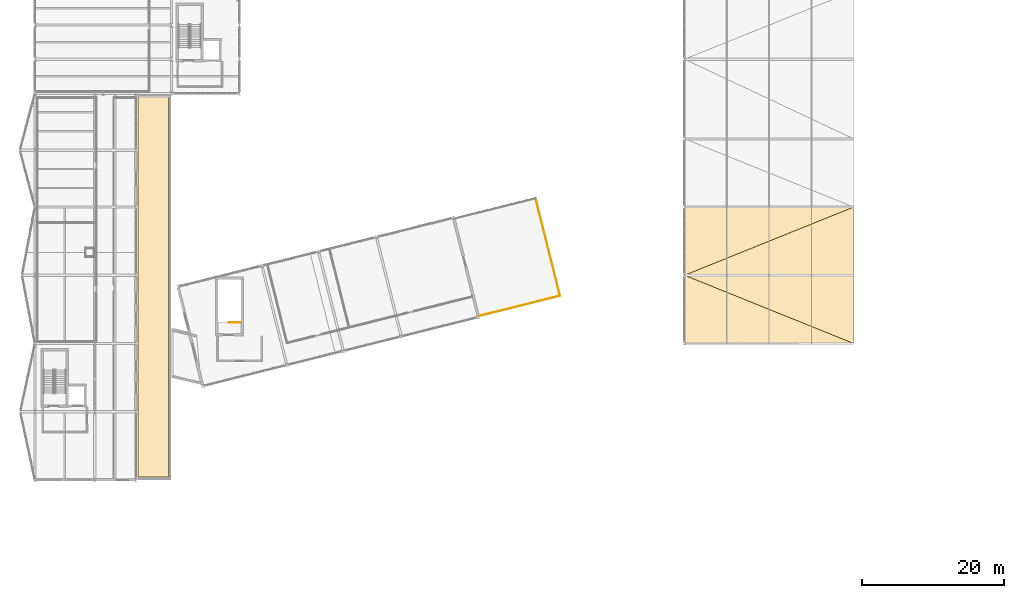
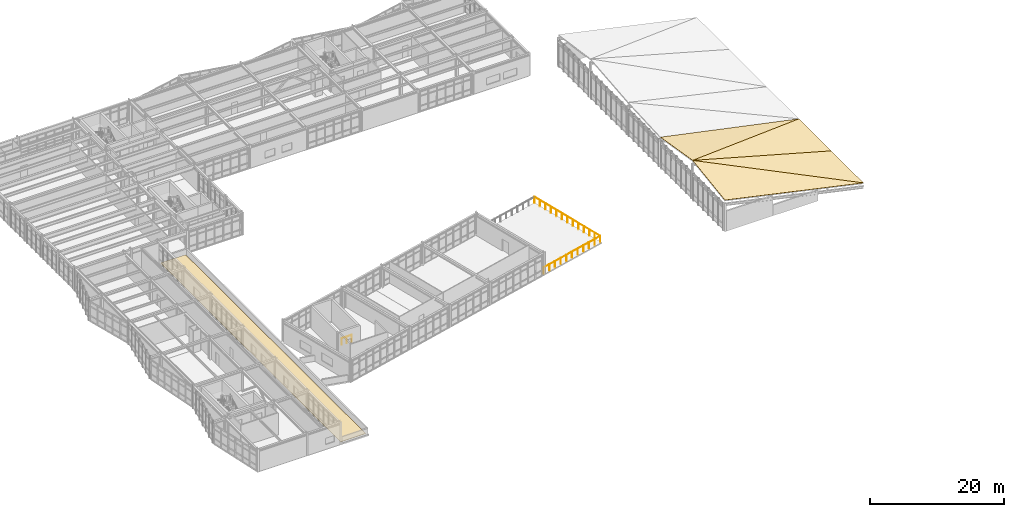
# One storey, part 61 of 64: 5 coverings, 3 railings.
"""IFC4 building model written with IfcOpenShell, lengths in metres."""

from ifc_helpers import new_model, si_unit, direction, frame, origin, origin_2d, place, context, subcontext, project, spatial, polyline, circle, outline, extrude, material, layer, layer_set, type_object, element, save


model = new_model("IFC4")

# Units and contexts
model_context = context("Model", 3, precision=1e-05, world=origin(), true_north=direction((0.0, 1.0)))
body_context = subcontext(model_context, "Body", "Model", "MODEL_VIEW")
ifc_project = project(units=[si_unit("LENGTHUNIT", "METRE"), si_unit("AREAUNIT", "SQUARE_METRE"), si_unit("VOLUMEUNIT", "CUBIC_METRE"), si_unit("PLANEANGLEUNIT", "RADIAN"), si_unit("MASSUNIT", "GRAM", prefix="KILO")], contexts=[model_context])

# Site, building, storey
site_placement = place(None, origin())
site = spatial("IfcSite", under=ifc_project, at=site_placement, CompositionType="ELEMENT")
building_placement = place(site_placement, origin())
building = spatial("IfcBuilding", under=site, at=building_placement, Name="Nordkorset Police Headquarters", CompositionType="ELEMENT")
storey_placement = place(building_placement, frame((0.0, 0.0, 17.85009765625)))
storey = spatial("IfcBuildingStorey", under=building, at=storey_placement, Name="L04", CompositionType="ELEMENT", Elevation=17.85009765625)

# Railings
ifc_material_1 = material(Name="Steel S355J2", Category="steel")
ifc_layer_1 = layer(ifc_material_1, 0.06005859375, Name="Steel S355J2")
ifc_layer_set_1 = layer_set([ifc_layer_1], Name="Steel S355J2")
railing_type_1 = type_object("IfcRailingType", Name="Guardrail_Terrace_1200", PredefinedType="GUARDRAIL", material=ifc_layer_set_1)
railing_1_placement = place(storey_placement, frame((62.514892578125, 51.88330078125, 0.0)))
element("IfcRailing", 1, at=railing_1_placement, inside=storey, type_object=railing_type_1, Name="Terrace Perimeter Guardrail TER-V4-L04-1", PredefinedType="GUARDRAIL", context=body_context, shape_type="SweptSolid", body=[
    extrude(circle(Radius=0.02392578125, at=origin_2d()), frame((0.0, 0.0, 1.17578125), z_axis=(0.970142500145, 0.242535625036, 0.0), x_axis=(-0.242535625036, 0.970142500145, 0.0)), (0.0, 0.0, 1.0), 11.699951171875),
    extrude(circle(Radius=0.02099609375, at=origin_2d()), origin(), (0.0, 0.0, 1.0), 1.15185546875),
    extrude(circle(Radius=0.02099609375, at=origin_2d()), frame((1.135009765625, 0.28369140625, 0.0)), (0.0, 0.0, 1.0), 1.15185546875),
    extrude(circle(Radius=0.02099609375, at=origin_2d()), frame((2.27001953125, 0.567626953125, 0.0)), (0.0, 0.0, 1.0), 1.15185546875),
    extrude(circle(Radius=0.02099609375, at=origin_2d()), frame((3.4052734375, 0.851318359375, 0.0)), (0.0, 0.0, 1.0), 1.15185546875),
    extrude(circle(Radius=0.02099609375, at=origin_2d()), frame((4.540283203125, 1.135009765625, 0.0)), (0.0, 0.0, 1.0), 1.15185546875),
    extrude(circle(Radius=0.02099609375, at=origin_2d()), frame((5.67529296875, 1.4189453125, 0.0)), (0.0, 0.0, 1.0), 1.15185546875),
    extrude(circle(Radius=0.02099609375, at=origin_2d()), frame((6.810302734375, 1.70263671875, 0.0)), (0.0, 0.0, 1.0), 1.15185546875),
    extrude(circle(Radius=0.02099609375, at=origin_2d()), frame((7.9453125, 1.986328125, 0.0)), (0.0, 0.0, 1.0), 1.15185546875),
    extrude(circle(Radius=0.02099609375, at=origin_2d()), frame((9.08056640625, 2.27001953125, 0.0)), (0.0, 0.0, 1.0), 1.15185546875),
    extrude(circle(Radius=0.02099609375, at=origin_2d()), frame((10.215576171875, 2.553955078125, 0.0)), (0.0, 0.0, 1.0), 1.15185546875),
    extrude(circle(Radius=0.02099609375, at=origin_2d()), frame((11.3505859375, 2.837646484375, 0.0)), (0.0, 0.0, 1.0), 1.15185546875),
])
railing_2_placement = place(storey_placement, frame((73.865478515625, 54.720947265625, 0.0)))
element("IfcRailing", 2, at=railing_2_placement, inside=storey, type_object=railing_type_1, Name="Terrace Perimeter Guardrail TER-V4-L04-2", PredefinedType="GUARDRAIL", context=body_context, shape_type="SweptSolid", body=[
    extrude(circle(Radius=0.02392578125, at=origin_2d()), frame((0.0, 0.0, 1.17578125), z_axis=(-0.242531550911, 0.970143518668, 0.0), x_axis=(-0.970143518668, -0.242531550911, 0.0)), (0.0, 0.0, 1.0), 14.099853515625),
    extrude(circle(Radius=0.02099609375, at=origin_2d()), origin(), (0.0, 0.0, 1.0), 1.15185546875),
    extrude(circle(Radius=0.02099609375, at=origin_2d()), frame((-0.284912109375, 1.139892578125, 0.0)), (0.0, 0.0, 1.0), 1.15185546875),
    extrude(circle(Radius=0.02099609375, at=origin_2d()), frame((-0.56982421875, 2.27978515625, 0.0)), (0.0, 0.0, 1.0), 1.15185546875),
    extrude(circle(Radius=0.02099609375, at=origin_2d()), frame((-0.85498046875, 3.419677734375, 0.0)), (0.0, 0.0, 1.0), 1.15185546875),
    extrude(circle(Radius=0.02099609375, at=origin_2d()), frame((-1.139892578125, 4.5595703125, 0.0)), (0.0, 0.0, 1.0), 1.15185546875),
    extrude(circle(Radius=0.02099609375, at=origin_2d()), frame((-1.4248046875, 5.699462890625, 0.0)), (0.0, 0.0, 1.0), 1.15185546875),
    extrude(circle(Radius=0.02099609375, at=origin_2d()), frame((-1.7099609375, 6.83935546875, 0.0)), (0.0, 0.0, 1.0), 1.15185546875),
    extrude(circle(Radius=0.02099609375, at=origin_2d()), frame((-1.994873046875, 7.9794921875, 0.0)), (0.0, 0.0, 1.0), 1.15185546875),
    extrude(circle(Radius=0.02099609375, at=origin_2d()), frame((-2.27978515625, 9.119384765625, 0.0)), (0.0, 0.0, 1.0), 1.15185546875),
    extrude(circle(Radius=0.02099609375, at=origin_2d()), frame((-2.564697265625, 10.25927734375, 0.0)), (0.0, 0.0, 1.0), 1.15185546875),
    extrude(circle(Radius=0.02099609375, at=origin_2d()), frame((-2.849609375, 11.399169921875, 0.0)), (0.0, 0.0, 1.0), 1.15185546875),
    extrude(circle(Radius=0.02099609375, at=origin_2d()), frame((-3.134765625, 12.5390625, 0.0)), (0.0, 0.0, 1.0), 1.15185546875),
    extrude(circle(Radius=0.02099609375, at=origin_2d()), frame((-3.419677734375, 13.678955078125, 0.0)), (0.0, 0.0, 1.0), 1.15185546875),
])
ifc_material_2 = material(Name="Steel S355J2", Category="steel")
ifc_layer_2 = layer(ifc_material_2, 0.050048828125, Name="Steel S355J2")
ifc_layer_set_2 = layer_set([ifc_layer_2], Name="Steel S355J2")
railing_type_2 = type_object("IfcRailingType", Name="Railing_StairGuard_1200", PredefinedType="GUARDRAIL", material=ifc_layer_set_2)
railing_3_placement = place(storey_placement, frame((28.97509765625, 50.97509765625, 0.0)))
element("IfcRailing", 3, at=railing_3_placement, inside=storey, type_object=railing_type_2, Name="L04 ST-08 top well guard 1", PredefinedType="GUARDRAIL", context=body_context, shape_type="SweptSolid", body=[
    extrude(circle(Radius=0.02392578125, at=origin_2d()), frame((0.0, 0.0, 1.17578125), z_axis=(-1.0, 0.0, 0.0), x_axis=(0.0, -1.0, 0.0)), (0.0, 0.0, 1.0), 1.7001953125),
    extrude(circle(Radius=0.02099609375, at=origin_2d()), origin(), (0.0, 0.0, 1.0), 1.15185546875),
    extrude(circle(Radius=0.02099609375, at=origin_2d()), frame((-0.85009765625, 0.0, 0.0)), (0.0, 0.0, 1.0), 1.15185546875),
    extrude(circle(Radius=0.02099609375, at=origin_2d()), frame((-1.7001953125, 0.0, 0.0)), (0.0, 0.0, 1.0), 1.15185546875),
])

# Coverings
ifc_material_3 = material(Name="Patinated Nordic zinc")
ifc_layer_3 = layer(ifc_material_3, 0.0400390625, Name="Patinated Nordic zinc")
ifc_layer_set_3 = layer_set([ifc_layer_3], Name="Patinated Nordic zinc")
covering_type = type_object("IfcCoveringType", Name="Roofing_StandingSeam_Zinc", PredefinedType="ROOFING", material=ifc_layer_set_3)
covering_1_placement = place(storey_placement, origin())
element("IfcCovering", 4, at=covering_1_placement, inside=storey, type_object=covering_type, Name="Patinated Nordic Zinc Roof Covering ROOFCVR-V3SET", PredefinedType="ROOFING", context=body_context, shape_type="SweptSolid", body=[
    extrude(outline(polyline([(14.5, 29.199951171875), (18.800048828125, 29.199951171875), (18.800048828125, 82.800048828125), (14.5, 82.800048828125), (14.5, 29.199951171875)])), origin(), (0.0, 0.0, 1.0), 0.039794921875),
])
covering_2_placement = place(storey_placement, frame((91.39990234375, 48.0, 5.6298828125), z_axis=(0.211316127776, -0.141037082701, 0.967188727935), x_axis=(0.976954054111, 0.0, -0.213449704042)))
element("IfcCovering", 5, at=covering_2_placement, inside=storey, type_object=covering_type, Name="Patinated Nordic Zinc Folded Roof Covering SLB-RF-V5-F0A", PredefinedType="ROOFING", context=body_context, shape_type="SweptSolid", body=[
    extrude(outline(polyline([(0.0, 0.0), (24.361482229351694, 0.0), (-0.2988087409608775, 9.697026086275052), (0.0, 0.0)])), origin(), (0.0, 0.0, -1.0), 0.0400390625),
])
covering_3_placement = place(storey_placement, frame((115.199951171875, 48.0, 0.429931640625), z_axis=(0.267220172415, 0.0, 0.963635501346), x_axis=(0.0, 1.0, 0.0)))
element("IfcCovering", 6, at=covering_3_placement, inside=storey, type_object=covering_type, Name="Patinated Nordic Zinc Folded Roof Covering SLB-RF-V5-F0B", PredefinedType="ROOFING", context=body_context, shape_type="SweptSolid", body=[
    extrude(outline(polyline([(0.0, 0.0), (9.60009765625, 0.0), (9.60009765625, 24.698185978910313), (0.0, 0.0)])), origin(), (0.0, 0.0, -1.0), 0.0400390625),
])
covering_4_placement = place(storey_placement, frame((91.39990234375, 57.60009765625, 7.02978515625), z_axis=(0.267220172415, 0.0, 0.963635501346), x_axis=(0.963635501346, 0.0, -0.267220172415)))
element("IfcCovering", 7, at=covering_4_placement, inside=storey, type_object=covering_type, Name="Patinated Nordic Zinc Folded Roof Covering SLB-RF-V5-F1A", PredefinedType="ROOFING", context=body_context, shape_type="SweptSolid", body=[
    extrude(outline(polyline([(0.0, 0.0), (24.698185978910313, 0.0), (24.698185978910313, 9.599853515625002), (0.0, 0.0)])), origin(), (0.0, 0.0, -1.0), 0.0400390625),
])
covering_5_placement = place(storey_placement, frame((91.39990234375, 57.60009765625, 7.02978515625), z_axis=(0.20291458613, 0.160966953333, 0.965875411567), x_axis=(0.898174155586, 0.36228246368, -0.249067466256)))
element("IfcCovering", 8, at=covering_5_placement, inside=storey, type_object=covering_type, Name="Patinated Nordic Zinc Folded Roof Covering SLB-RF-V5-F1B", PredefinedType="ROOFING", context=body_context, shape_type="SweptSolid", body=[
    extrude(outline(polyline([(0.0, 0.0), (26.49825613451382, 6.106226635438361e-16), (3.876330044121408, 8.92696948476677), (0.0, 0.0)])), origin(), (0.0, 0.0, -1.0), 0.0400390625),
])

save(model, "model.ifc")
